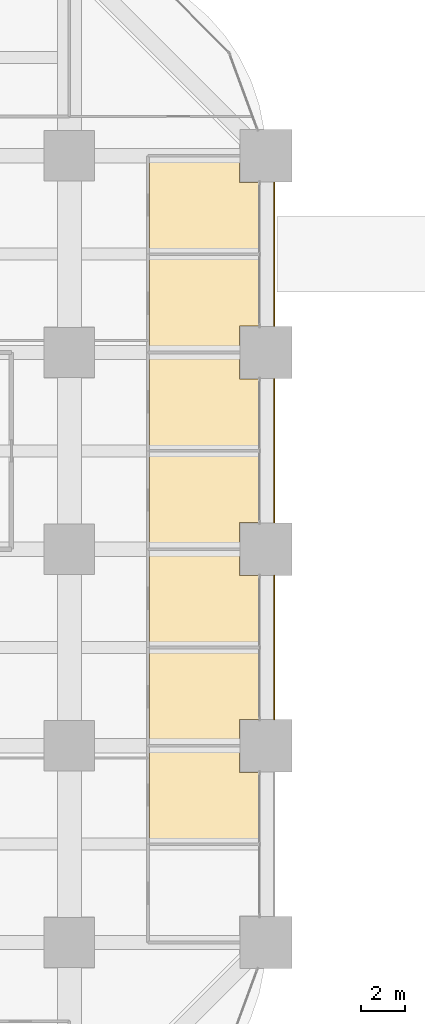
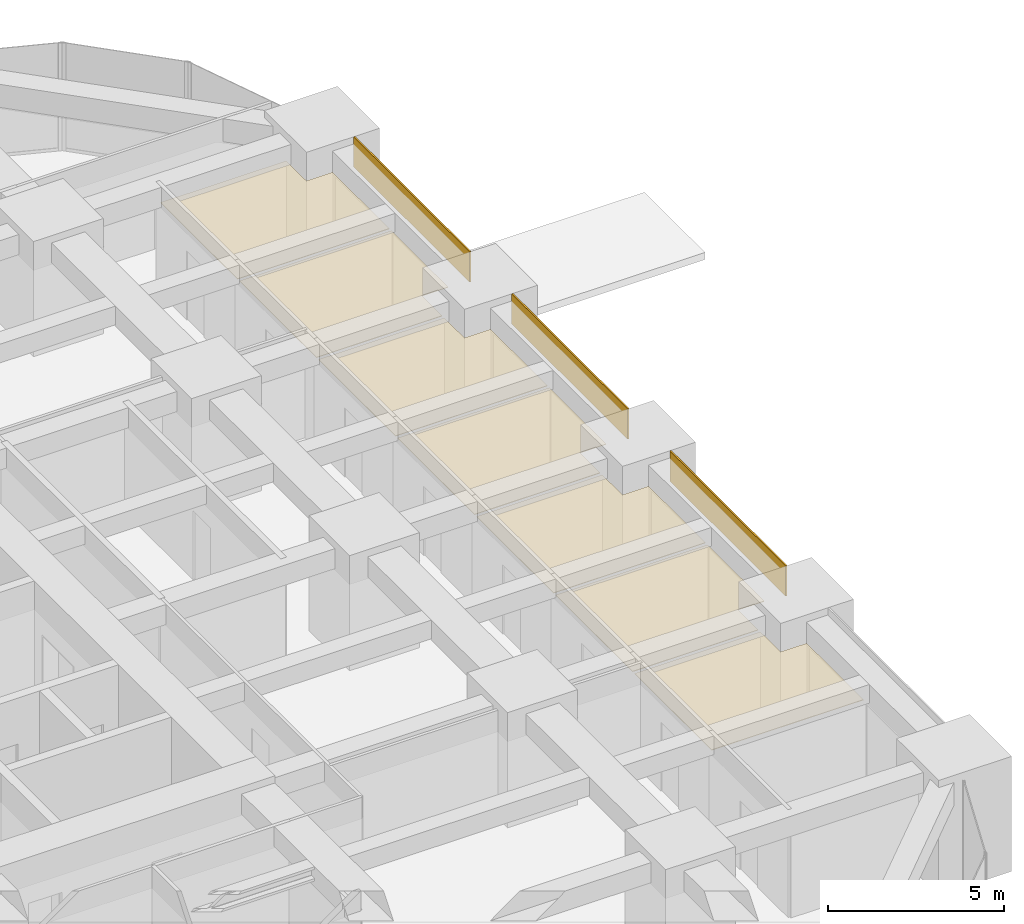
# One storey, part 39 of 39: 10 coverings.
"""IFC4 building model written with IfcOpenShell, lengths in metres."""

from ifc_helpers import new_model, si_unit, direction, frame, frame_2d, origin, place, context, subcontext, project, spatial, polyline, rectangle, outline, extrude, material, layer, layer_set, type_object, element, save


model = new_model("IFC4")

# Units and contexts
model_context = context("Model", 3, precision=1e-05, world=origin(), true_north=direction((0.0, 1.0)))
body_context = subcontext(model_context, "Body", "Model", "MODEL_VIEW")
ifc_project = project(units=[si_unit("LENGTHUNIT", "METRE"), si_unit("AREAUNIT", "SQUARE_METRE"), si_unit("VOLUMEUNIT", "CUBIC_METRE"), si_unit("PLANEANGLEUNIT", "RADIAN"), si_unit("MASSUNIT", "GRAM", prefix="KILO")], contexts=[model_context])

# Site, building, storey
site_placement = place(None, origin())
site = spatial("IfcSite", under=ifc_project, at=site_placement, CompositionType="ELEMENT")
building_placement = place(site_placement, origin())
building = spatial("IfcBuilding", under=site, at=building_placement, Name="Zorevar Civic Tower", CompositionType="ELEMENT")
storey_placement = place(building_placement, frame((0.0, 0.0, 19.800048828125)))
storey = spatial("IfcBuildingStorey", under=building, at=storey_placement, Name="L04", CompositionType="ELEMENT", Elevation=19.800048828125)

# Coverings
ifc_material_1 = material(Name="Black anodised aluminium spandrel panel", Category="aluminium")
ifc_layer_1 = layer(ifc_material_1, 0.050048828125)
ifc_layer_set_1 = layer_set([ifc_layer_1], Name="Spandrel cladding SP1")
covering_type_1 = type_object("IfcCoveringType", Name="Spandrel cladding SP1", PredefinedType="CLADDING", material=ifc_layer_set_1)
for number, where, z_axis, x_axis, name in (
    (1, (63.375, 19.199951171875, 2.949951171875), (0.0, 0.0, 1.0), (0.0, 1.0, 0.0), "Spandrel cladding L05"),
    (2, (63.375, 28.199951171875, 2.949951171875), (0.0, 0.0, 1.0), (0.0, 1.0, 0.0), "Spandrel cladding L05"),
    (3, (63.375, 37.199951171875, 2.949951171875), (0.0, 0.0, 1.0), (0.0, 1.0, 0.0), "Spandrel cladding L05"),
):
    element("IfcCovering", number, at=place(storey_placement, frame(where, z_axis=z_axis, x_axis=x_axis)), inside=storey, type_object=covering_type_1, Name=name, PredefinedType="CLADDING", context=body_context, shape_type="SweptSolid", body=[
        extrude(rectangle(XDim=6.60009765625, YDim=0.050048828125, at=frame_2d((3.300048828125, 0.0))), origin(), (0.0, 0.0, 1.0), 1.050048828125),
    ])
ifc_material_2 = material(Name="Mineral fibre tiles on a concealed grid")
ifc_layer_2 = layer(ifc_material_2, 0.02001953125)
ifc_layer_set_2 = layer_set([ifc_layer_2], Name="Suspended ceiling SC1")
covering_type_2 = type_object("IfcCoveringType", Name="Suspended ceiling SC1", PredefinedType="CEILING", material=ifc_layer_set_2)
covering_1_placement = place(storey_placement, frame((0.0, 0.0, 3.0)))
element("IfcCovering", 4, at=covering_1_placement, inside=storey, type_object=covering_type_2, Name="Ceiling L04-37", PredefinedType="CEILING", context=body_context, shape_type="SweptSolid", body=[
    extrude(outline(polyline([(57.659912109375, 17.93994140625), (61.7900390625, 17.93994140625), (61.7900390625, 16.7900390625), (62.64990234375, 16.7900390625), (62.64990234375, 13.56005859375), (57.659912109375, 13.56005859375), (57.659912109375, 17.93994140625)])), origin(), (0.0, 0.0, 1.0), 0.02001953125),
])
covering_2_placement = place(storey_placement, frame((0.0, 0.0, 3.0)))
element("IfcCovering", 5, at=covering_2_placement, inside=storey, type_object=covering_type_2, Name="Ceiling L04-38", PredefinedType="CEILING", context=body_context, shape_type="SweptSolid", body=[
    extrude(outline(polyline([(57.659912109375, 22.43994140625), (62.64990234375, 22.43994140625), (62.64990234375, 19.2099609375), (61.7900390625, 19.2099609375), (61.7900390625, 18.06005859375), (57.659912109375, 18.06005859375), (57.659912109375, 22.43994140625)])), origin(), (0.0, 0.0, 1.0), 0.02001953125),
])
covering_3_placement = place(storey_placement, frame((0.0, 0.0, 3.0)))
element("IfcCovering", 6, at=covering_3_placement, inside=storey, type_object=covering_type_2, Name="Ceiling L04-39", PredefinedType="CEILING", context=body_context, shape_type="SweptSolid", body=[
    extrude(outline(polyline([(57.659912109375, 26.93994140625), (61.7900390625, 26.93994140625), (61.7900390625, 25.7900390625), (62.64990234375, 25.7900390625), (62.64990234375, 22.56005859375), (57.659912109375, 22.56005859375), (57.659912109375, 26.93994140625)])), origin(), (0.0, 0.0, 1.0), 0.02001953125),
])
covering_4_placement = place(storey_placement, frame((0.0, 0.0, 3.0)))
element("IfcCovering", 7, at=covering_4_placement, inside=storey, type_object=covering_type_2, Name="Ceiling L04-40", PredefinedType="CEILING", context=body_context, shape_type="SweptSolid", body=[
    extrude(outline(polyline([(57.659912109375, 31.43994140625), (62.64990234375, 31.43994140625), (62.64990234375, 28.2099609375), (61.7900390625, 28.2099609375), (61.7900390625, 27.06005859375), (57.659912109375, 27.06005859375), (57.659912109375, 31.43994140625)])), origin(), (0.0, 0.0, 1.0), 0.02001953125),
])
covering_5_placement = place(storey_placement, frame((0.0, 0.0, 3.0)))
element("IfcCovering", 8, at=covering_5_placement, inside=storey, type_object=covering_type_2, Name="Ceiling L04-41", PredefinedType="CEILING", context=body_context, shape_type="SweptSolid", body=[
    extrude(outline(polyline([(57.659912109375, 35.93994140625), (61.7900390625, 35.93994140625), (61.7900390625, 34.7900390625), (62.64990234375, 34.7900390625), (62.64990234375, 31.56005859375), (57.659912109375, 31.56005859375), (57.659912109375, 35.93994140625)])), origin(), (0.0, 0.0, 1.0), 0.02001953125),
])
covering_6_placement = place(storey_placement, frame((0.0, 0.0, 3.0)))
element("IfcCovering", 9, at=covering_6_placement, inside=storey, type_object=covering_type_2, Name="Ceiling L04-42", PredefinedType="CEILING", context=body_context, shape_type="SweptSolid", body=[
    extrude(outline(polyline([(57.659912109375, 40.43994140625), (62.64990234375, 40.43994140625), (62.64990234375, 37.2099609375), (61.7900390625, 37.2099609375), (61.7900390625, 36.06005859375), (57.659912109375, 36.06005859375), (57.659912109375, 40.43994140625)])), origin(), (0.0, 0.0, 1.0), 0.02001953125),
])
covering_7_placement = place(storey_placement, frame((0.0, 0.0, 3.0)))
element("IfcCovering", 10, at=covering_7_placement, inside=storey, type_object=covering_type_2, Name="Ceiling L04-43", PredefinedType="CEILING", context=body_context, shape_type="SweptSolid", body=[
    extrude(outline(polyline([(57.659912109375, 44.93994140625), (61.7900390625, 44.93994140625), (61.7900390625, 43.7900390625), (62.64990234375, 43.7900390625), (62.64990234375, 40.56005859375), (57.659912109375, 40.56005859375), (57.659912109375, 44.93994140625)])), origin(), (0.0, 0.0, 1.0), 0.02001953125),
])

save(model, "model.ifc")
